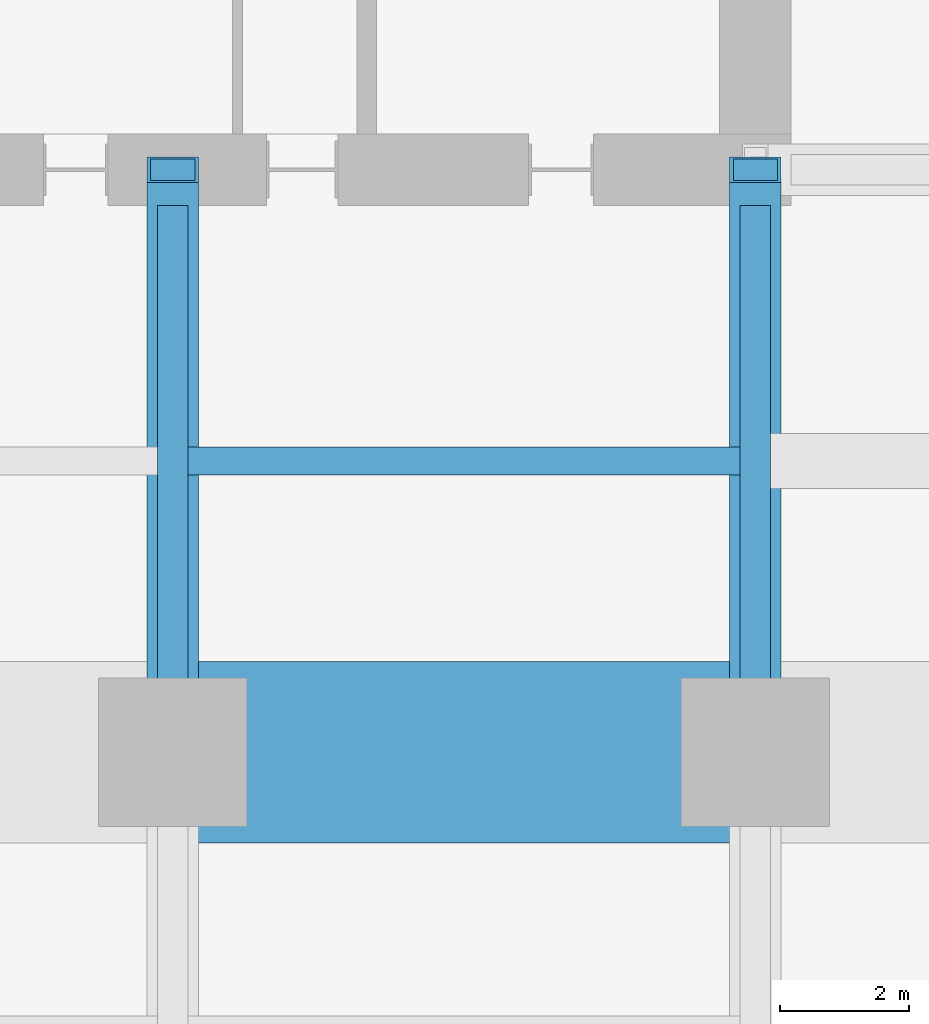
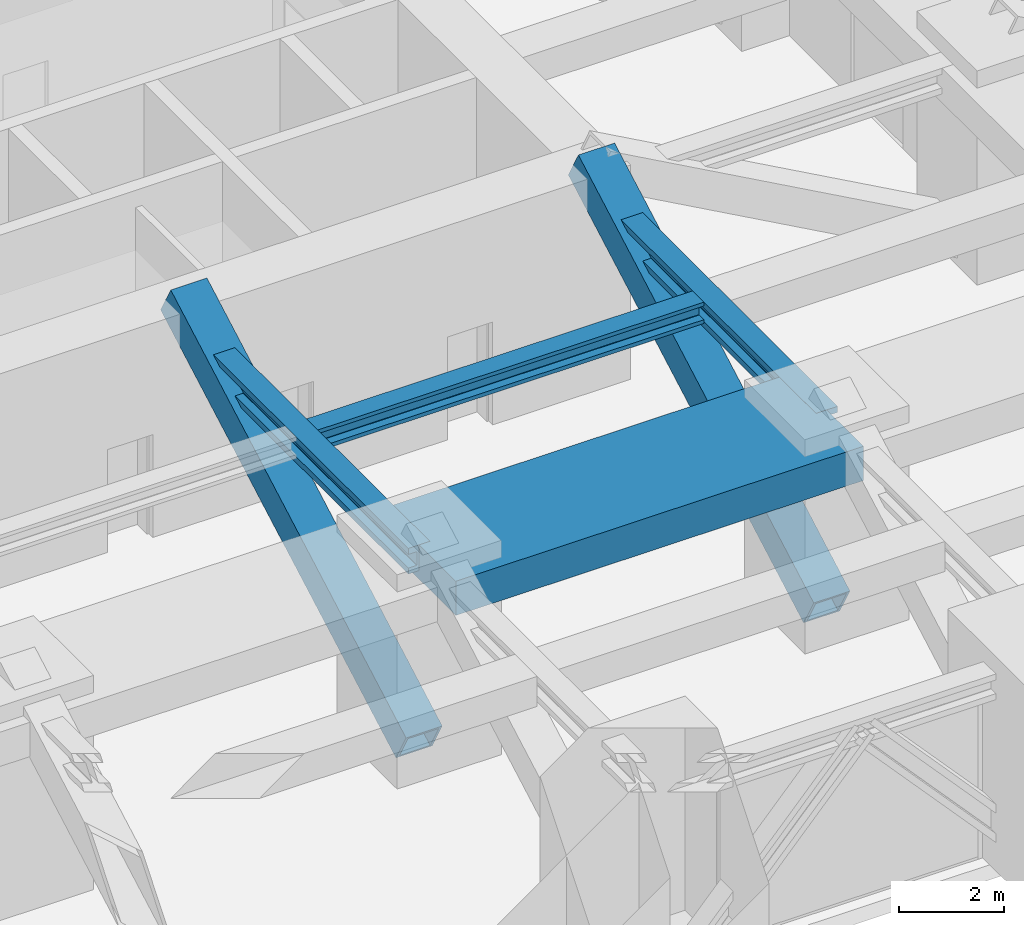
# One storey, part 11 of 35: 4 beams, 2 members.
"""IFC4 building model written with IfcOpenShell, lengths in metres."""

from ifc_helpers import new_model, si_unit, direction, frame, origin, origin_2d, place, context, subcontext, project, spatial, rectangle, hollow_rectangle, i_section, extrude, material, material_profile, profile_set, type_object, element, save


model = new_model("IFC4")

# Units and contexts
model_context = context("Model", 3, precision=1e-05, world=origin(), true_north=direction((0.0, 1.0)))
body_context = subcontext(model_context, "Body", "Model", "MODEL_VIEW")
ifc_project = project(units=[si_unit("LENGTHUNIT", "METRE"), si_unit("AREAUNIT", "SQUARE_METRE"), si_unit("VOLUMEUNIT", "CUBIC_METRE"), si_unit("PLANEANGLEUNIT", "RADIAN"), si_unit("MASSUNIT", "GRAM", prefix="KILO")], contexts=[model_context])

# Site, building, storey
site_placement = place(None, origin())
site = spatial("IfcSite", under=ifc_project, at=site_placement, CompositionType="ELEMENT")
building_placement = place(site_placement, origin())
building = spatial("IfcBuilding", under=site, at=building_placement, Name="Zorevar Civic Tower", CompositionType="ELEMENT")
storey_placement = place(building_placement, frame((0.0, 0.0, 80.0)))
storey = spatial("IfcBuildingStorey", under=building, at=storey_placement, Name="L19", CompositionType="ELEMENT", Elevation=80.0)

# Beams
ifc_material_1 = material(Name="Concrete C50/60", Category="concrete")
ifc_material_profile_1 = material_profile(ifc_material_1, rectangle(XDim=2.800048828125, YDim=0.800048828125, at=origin_2d()), Name="RC 2800x800")
ifc_profile_set_1 = profile_set([ifc_material_profile_1], Name="Concrete C50/60")
beam_type_1 = type_object("IfcBeamType", Name="Beam RC 2800x800", PredefinedType="BEAM", material=ifc_profile_set_1)
beam_1_placement = place(storey_placement, frame((36.0, 9.0, 4.199951171875), z_axis=(1.0, 0.0, 0.0), x_axis=(0.0, 1.0, 0.0)))
element("IfcBeam", 1, at=beam_1_placement, inside=storey, type_object=beam_type_1, Name="Girder L20", PredefinedType="BEAM", context=body_context, shape_type="SweptSolid", body=[
    extrude(rectangle(XDim=2.800048828125, YDim=0.800048828125, at=origin_2d()), origin(), (0.0, 0.0, 1.0), 9.0),
])
ifc_material_2 = material(Name="Steel S460M (HISTAR 460)", Category="steel")
ifc_material_profile_2 = material_profile(ifc_material_2, i_section(OverallWidth=0.431884765625, OverallDepth=0.498046875, WebThickness=0.0556640625, FlangeThickness=0.0888671875, FilletRadius=0.014892578125, at=origin_2d()), Name="HD 400x744")
ifc_profile_set_2 = profile_set([ifc_material_profile_2], Name="Steel S460M (HISTAR 460)")
beam_type_2 = type_object("IfcBeamType", Name="Core bay beam HD 400x744", PredefinedType="BEAM", material=ifc_profile_set_2)
beam_2_placement = place(storey_placement, frame((36.238037109375, 13.5, 4.35107421875), z_axis=(1.0, 0.0, 0.0), x_axis=(0.0, 1.0, 0.0)))
element("IfcBeam", 2, at=beam_2_placement, inside=storey, type_object=beam_type_2, Name="Secondary beam L20", PredefinedType="BEAM", context=body_context, shape_type="SweptSolid", body=[
    extrude(i_section(OverallWidth=0.431884765625, OverallDepth=0.498046875, WebThickness=0.0556640625, FlangeThickness=0.0888671875, FilletRadius=0.014892578125, at=origin_2d()), origin(), (0.0, 0.0, 1.0), 8.52392578125),
])
ifc_material_3 = material(Name="Steel S460M (HISTAR 460)", Category="steel")
ifc_material_profile_3 = material_profile(ifc_material_3, i_section(OverallWidth=0.47607421875, OverallDepth=0.60009765625, WebThickness=0.10009765625, FlangeThickness=0.139892578125, FilletRadius=0.014892578125, at=origin_2d()), Name="HD 400x1299")
ifc_profile_set_3 = profile_set([ifc_material_profile_3], Name="Steel S460M (HISTAR 460)")
beam_type_3 = type_object("IfcBeamType", Name="Outrigger chord HD 400x1299", PredefinedType="BEAM", material=ifc_profile_set_3)
for number, where, z_axis, x_axis, name in (
    (3, (36.0, 9.0, 4.300048828125), (0.0, 1.0, 0.0), (-1.0, 0.0, 0.0), "Outrigger chord L20"),
    (4, (45.0, 9.0, 4.300048828125), (0.0, 1.0, 0.0), (-1.0, 0.0, 0.0), "Outrigger chord L20"),
):
    element("IfcBeam", number, at=place(storey_placement, frame(where, z_axis=z_axis, x_axis=x_axis)), inside=storey, type_object=beam_type_3, Name=name, PredefinedType="BEAM", context=body_context, shape_type="SweptSolid", body=[
        extrude(i_section(OverallWidth=0.47607421875, OverallDepth=0.60009765625, WebThickness=0.10009765625, FlangeThickness=0.139892578125, FilletRadius=0.014892578125, at=origin_2d()), origin(), (0.0, 0.0, 1.0), 8.449951171875),
    ])

# Members
ifc_material_4 = material(Name="Steel S460M (HISTAR 460)", Category="steel")
ifc_material_profile_4 = material_profile(ifc_material_4, hollow_rectangle(XDim=0.800048828125, YDim=0.800048828125, WallThickness=0.06005859375, at=origin_2d()), Name="BOX 800x800x60")
ifc_profile_set_4 = profile_set([ifc_material_profile_4], Name="Steel S460M (HISTAR 460)")
member_type = type_object("IfcMemberType", Name="Outrigger diagonal BOX 800x800x60", PredefinedType="BRACE", material=ifc_profile_set_4)
for number, where, z_axis, x_axis, name in (
    (5, (36.0, 18.0, 5.0), (0.0, -0.874157276122, -0.485642931179), (1.0, 0.0, 0.0), "Outrigger diagonal S L19"),
    (6, (45.0, 18.0, 5.0), (0.0, -0.874157276122, -0.485642931179), (1.0, 0.0, 0.0), "Outrigger diagonal S L19"),
):
    element("IfcMember", number, at=place(storey_placement, frame(where, z_axis=z_axis, x_axis=x_axis)), inside=storey, type_object=member_type, Name=name, PredefinedType="BRACE", context=body_context, shape_type="SweptSolid", body=[
        extrude(hollow_rectangle(XDim=0.800048828125, YDim=0.800048828125, WallThickness=0.06005859375, at=origin_2d()), origin(), (0.0, 0.0, 1.0), 10.295654296875),
    ])

save(model, "model.ifc")
